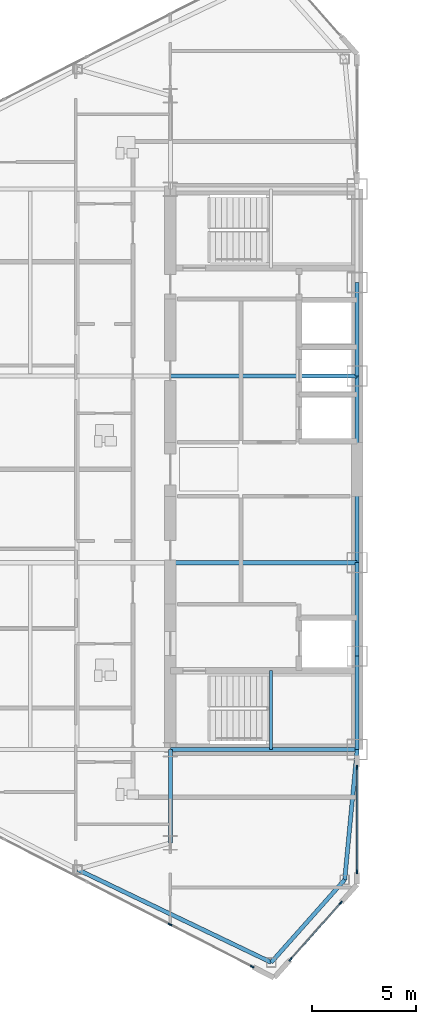
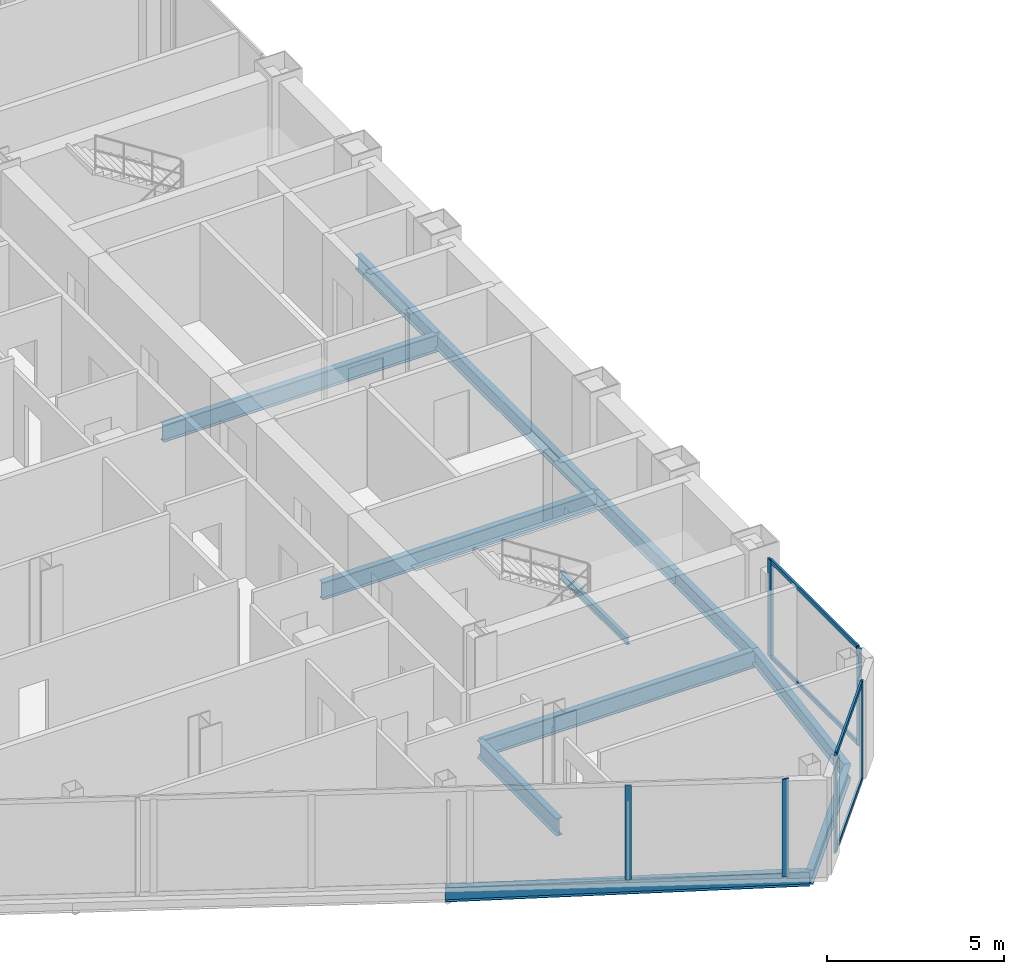
# One storey, part 5 of 23: 12 beams, 10 members, 3 elements without a shape of their own.
"""IFC4 building model written with IfcOpenShell, lengths in metres."""

from ifc_helpers import new_model, si_unit, direction, frame, origin, origin_2d, place, context, subcontext, project, spatial, rectangle, i_section, extrude, source, transform, mapped, material, layer, layer_set, material_profile, profile_set, type_object, type_shapes, element, aggregate, save


model = new_model("IFC4")

# Units and contexts
model_context = context("Model", 3, precision=1e-05, world=origin(), true_north=direction((0.0, 1.0)))
body_context = subcontext(model_context, "Body", "Model", "MODEL_VIEW")
ifc_project = project(units=[si_unit("LENGTHUNIT", "METRE"), si_unit("AREAUNIT", "SQUARE_METRE"), si_unit("VOLUMEUNIT", "CUBIC_METRE"), si_unit("PLANEANGLEUNIT", "RADIAN"), si_unit("MASSUNIT", "GRAM", prefix="KILO")], contexts=[model_context])

# Site, building, storey
site_placement = place(None, origin())
site = spatial("IfcSite", under=ifc_project, at=site_placement, CompositionType="ELEMENT")
building_placement = place(site_placement, origin())
building = spatial("IfcBuilding", under=site, at=building_placement, Name="Seokmaru Belvedere", CompositionType="ELEMENT")
storey_placement = place(building_placement, frame((0.0, 0.0, 144.0)))
storey = spatial("IfcBuildingStorey", under=building, at=storey_placement, Name="L38", CompositionType="ELEMENT", Elevation=144.0)

# Beams
ifc_material_1 = material(Name="Steel SM355 (355 MPa)", Category="steel")
ifc_material_profile_1 = material_profile(ifc_material_1, i_section(OverallWidth=0.199951171875, OverallDepth=0.5, WebThickness=0.010009765625, FlangeThickness=0.01611328125, at=origin_2d()), Name="H-500x200x10x16")
ifc_profile_set_1 = profile_set([ifc_material_profile_1], Name="Steel SM355 (355 MPa)")
beam_type_1 = type_object("IfcBeamType", Name="Perimeter Spandrel Beam H-500", PredefinedType="SPANDREL", material=ifc_profile_set_1)
shared_shape_1 = source(origin(), body_context, "Body", "SweptSolid", [
    extrude(i_section(OverallWidth=0.199951171875, OverallDepth=0.5, WebThickness=0.010009765625, FlangeThickness=0.01611328125, at=origin_2d()), origin(), (0.0, 0.0, 1.0), 4.5),
])
for number, where, z_axis, x_axis, name in (
    (1, (-27.5, -13.5, -0.469970703125), (0.0, 1.0, 0.0), (-1.0, 0.0, 0.0), "L38 W Portal Spine Spandrel 1"),
    (2, (-27.5, -9.0, -0.469970703125), (0.0, 1.0, 0.0), (-1.0, 0.0, 0.0), "L38 W Portal Spine Spandrel 2"),
    (3, (-27.5, 4.5, -0.469970703125), (0.0, 1.0, 0.0), (-1.0, 0.0, 0.0), "L38 W Portal Spine Spandrel 4"),
):
    element("IfcBeam", number, at=place(storey_placement, frame(where, z_axis=z_axis, x_axis=x_axis)), inside=storey, type_object=beam_type_1, Name=name, PredefinedType="SPANDREL", context=body_context, shape_type="MappedRepresentation", body=[
        mapped(shared_shape_1, transform((0.0, 0.0, 0.0), scale=1.0)),
    ])
shared_shape_2 = source(origin(), body_context, "Body", "SweptSolid", [
    extrude(i_section(OverallWidth=0.199951171875, OverallDepth=0.5, WebThickness=0.010009765625, FlangeThickness=0.01611328125, at=origin_2d()), origin(), (0.0, 0.0, 1.0), 9.0),
])
beam_1_placement = place(storey_placement, frame((-27.5, -4.5, -0.469970703125), z_axis=(0.0, 1.0, 0.0), x_axis=(-1.0, 0.0, 0.0)))
element("IfcBeam", 4, at=beam_1_placement, inside=storey, type_object=beam_type_1, Name="L38 W Portal Spine Spandrel 3", PredefinedType="SPANDREL", context=body_context, shape_type="MappedRepresentation", body=[
    mapped(shared_shape_2, transform((0.0, 0.0, 0.0), scale=1.0)),
])
ifc_material_profile_2 = material_profile(ifc_material_1, i_section(OverallWidth=0.199951171875, OverallDepth=0.60009765625, WebThickness=0.010986328125, FlangeThickness=0.01708984375, at=origin_2d()), Name="H-600x200x11x17")
ifc_profile_set_2 = profile_set([ifc_material_profile_2], Name="Steel SM355 (355 MPa)")
beam_type_2 = type_object("IfcBeamType", Name="Primary Floor Girder H-600", PredefinedType="BEAM", material=ifc_profile_set_2)
shared_shape_3 = source(origin(), body_context, "Body", "SweptSolid", [
    extrude(i_section(OverallWidth=0.199951171875, OverallDepth=0.60009765625, WebThickness=0.010986328125, FlangeThickness=0.01708984375, at=origin_2d()), origin(), (0.0, 0.0, 1.0), 9.0),
])
for number, where, z_axis, x_axis, name in (
    (5, (-36.5, -13.5, -0.52001953125), (1.0, 0.0, 0.0), (0.0, 1.0, 0.0), "L38 W Core Tie Girder 1"),
    (6, (-36.5, -4.5, -0.52001953125), (1.0, 0.0, 0.0), (0.0, 1.0, 0.0), "L38 W Core Tie Girder 2"),
    (7, (-36.5, 4.5, -0.52001953125), (1.0, 0.0, 0.0), (0.0, 1.0, 0.0), "L38 W Core Tie Girder 3"),
):
    element("IfcBeam", number, at=place(storey_placement, frame(where, z_axis=z_axis, x_axis=x_axis)), inside=storey, type_object=beam_type_2, Name=name, PredefinedType="BEAM", context=body_context, shape_type="MappedRepresentation", body=[
        mapped(shared_shape_3, transform((0.0, 0.0, 0.0), scale=1.0)),
    ])
shared_shape_4 = source(origin(), body_context, "Body", "SweptSolid", [
    extrude(i_section(OverallWidth=0.199951171875, OverallDepth=0.60009765625, WebThickness=0.010986328125, FlangeThickness=0.01708984375, at=origin_2d()), origin(), (0.0, 0.0, 1.0), 4.5),
])
type_shapes(beam_type_2, [shared_shape_3, shared_shape_4])
beam_2_placement = place(storey_placement, frame((-36.5, -18.0, -0.52001953125), z_axis=(0.0, 1.0, 0.0), x_axis=(-1.0, 0.0, 0.0)))
element("IfcBeam", 8, at=beam_2_placement, inside=storey, type_object=beam_type_2, Name="L38 W Core Shoulder Girder S", PredefinedType="BEAM", context=body_context, shape_type="MappedRepresentation", body=[
    mapped(shared_shape_4, transform((0.0, 0.0, 0.0), scale=1.0)),
])
shared_shape_5 = source(origin(), body_context, "Body", "SweptSolid", [
    extrude(i_section(OverallWidth=0.199951171875, OverallDepth=0.5, WebThickness=0.010009765625, FlangeThickness=0.01611328125, at=origin_2d()), origin(), (0.0, 0.0, 1.0), 10.353759765625),
])
beam_3_placement = place(storey_placement, frame((-31.6396484375, -23.75390625, -0.469970703125), z_axis=(-0.901713202822, 0.432334708134, 0.0), x_axis=(-0.432334708134, -0.901713202822, 0.0)))
element("IfcBeam", 9, at=beam_3_placement, inside=storey, type_object=beam_type_1, Name="L38 W Faceted Flank Spandrel S-1", PredefinedType="SPANDREL", context=body_context, shape_type="MappedRepresentation", body=[
    mapped(shared_shape_5, transform((0.0, 0.0, 0.0), scale=1.0)),
])
shared_shape_6 = source(origin(), body_context, "Body", "SweptSolid", [
    extrude(i_section(OverallWidth=0.199951171875, OverallDepth=0.5, WebThickness=0.010009765625, FlangeThickness=0.01611328125, at=origin_2d()), origin(), (0.0, 0.0, 1.0), 5.32763671875),
])
beam_4_placement = place(storey_placement, frame((-31.6396484375, -23.75390625, -0.469970703125), z_axis=(0.66436952742, 0.74740426212, 0.0), x_axis=(-0.74740426212, 0.66436952742, 0.0)))
element("IfcBeam", 10, at=beam_4_placement, inside=storey, type_object=beam_type_1, Name="L38 W Shoulder Chamfer Spandrel S", PredefinedType="SPANDREL", context=body_context, shape_type="MappedRepresentation", body=[
    mapped(shared_shape_6, transform((0.0, 0.0, 0.0), scale=1.0)),
])
shared_shape_7 = source(origin(), body_context, "Body", "SweptSolid", [
    extrude(i_section(OverallWidth=0.199951171875, OverallDepth=0.5, WebThickness=0.010009765625, FlangeThickness=0.01611328125, at=origin_2d()), origin(), (0.0, 0.0, 1.0), 6.300537109375),
])
type_shapes(beam_type_1, [shared_shape_1, shared_shape_2, shared_shape_5, shared_shape_6, shared_shape_7])
beam_5_placement = place(storey_placement, frame((-28.10009765625, -19.77197265625, -0.469970703125), z_axis=(0.095244287992, 0.995453929424, 0.0), x_axis=(-0.995453929424, 0.095244287992, 0.0)))
element("IfcBeam", 11, at=beam_5_placement, inside=storey, type_object=beam_type_1, Name="L38 W Shoulder Spine Spandrel S", PredefinedType="SPANDREL", context=body_context, shape_type="MappedRepresentation", body=[
    mapped(shared_shape_7, transform((0.0, 0.0, 0.0), scale=1.0)),
])

# Curtain wall, members
ifc_material_2 = material(Name="Bronze Triple Insulating Glass", Category="glass")
ifc_layer = layer(ifc_material_2, 0.195068359375)
ifc_layer_set = layer_set([ifc_layer], Name="Bronze Triple Insulating Glass")
curtain_wall_type = type_object("IfcCurtainWallType", Name="Sky-Lobby and Mid-Rise Curtain Wall System CW-4", PredefinedType="NOTDEFINED", material=ifc_layer_set)
curtain_wall_1_placement = place(storey_placement, origin())
curtain_wall_1 = element("IfcCurtainWall", 12, at=curtain_wall_1_placement, inside=storey, type_object=curtain_wall_type, Name="L38 Curtain Wall WSP_1", PredefinedType="NOTDEFINED")
ifc_material_3 = material(Name="Anodised Bronze Aluminium", Category="aluminium")
ifc_material_profile_3 = material_profile(ifc_material_3, rectangle(XDim=0.070068359375, YDim=0.195068359375, at=origin_2d()), Name="CW-M-70x195")
ifc_profile_set_3 = profile_set([ifc_material_profile_3], Name="Anodised Bronze Aluminium")
member_type_1 = type_object("IfcMemberType", Name="Bronze Unitised Mullion 70x195", PredefinedType="MULLION", material=ifc_profile_set_3)
shared_shape_8 = source(origin(), body_context, "Body", "SweptSolid", [
    extrude(rectangle(XDim=0.070068359375, YDim=0.195068359375, at=origin_2d()), origin(), (0.0, 0.0, 1.0), 3.3798828125),
])
member_1_placement = place(storey_placement, frame((-27.5, -19.39501953125, 0.0), z_axis=(0.0, 0.0, 1.0), x_axis=(-1.0, 0.0, 0.0)))
member_1 = element("IfcMember", 13, at=member_1_placement, type_object=member_type_1, Name="CW:L38:WSP_1 Mullion 1", PredefinedType="MULLION", context=body_context, shape_type="MappedRepresentation", body=[
    mapped(shared_shape_8, transform((0.0, 0.0, 0.0), scale=1.0)),
])
member_2_placement = place(storey_placement, frame((-27.5, -14.364990234375, 0.0), z_axis=(0.0, 0.0, 1.0), x_axis=(-1.0, 0.0, 0.0)))
member_2 = element("IfcMember", 14, at=member_2_placement, type_object=member_type_1, Name="CW:L38:WSP_1 Mullion 2", PredefinedType="MULLION", context=body_context, shape_type="MappedRepresentation", body=[
    mapped(shared_shape_8, transform((0.0, 0.0, 0.0), scale=1.0)),
])

# Curtain wall, member
curtain_wall_2_placement = place(storey_placement, origin())
curtain_wall_2 = element("IfcCurtainWall", 15, at=curtain_wall_2_placement, inside=storey, type_object=curtain_wall_type, Name="L38 Curtain Wall WF5", PredefinedType="NOTDEFINED")
member_3_placement = place(storey_placement, frame((-32.55419921875, -23.958984375, 0.0), z_axis=(0.0, 0.0, 1.0), x_axis=(0.456554528263, 0.889695432562, 0.0)))
member_3 = element("IfcMember", 16, at=member_3_placement, type_object=member_type_1, Name="CW:L38:WF5 Mullion 10", PredefinedType="MULLION", context=body_context, shape_type="MappedRepresentation", body=[
    mapped(shared_shape_8, transform((0.0, 0.0, 0.0), scale=1.0)),
])

# Curtain wall, members
curtain_wall_3_placement = place(storey_placement, origin())
curtain_wall_3 = element("IfcCurtainWall", 17, at=curtain_wall_3_placement, inside=storey, type_object=curtain_wall_type, Name="L38 Curtain Wall WF6", PredefinedType="NOTDEFINED")
member_4_placement = place(storey_placement, frame((-30.712646484375, -23.6142578125, 0.0), z_axis=(0.0, 0.0, 1.0), x_axis=(-0.747409774804, 0.664363325694, 0.0)))
member_4 = element("IfcMember", 18, at=member_4_placement, type_object=member_type_1, Name="CW:L38:WF6 Mullion 1", PredefinedType="MULLION", context=body_context, shape_type="MappedRepresentation", body=[
    mapped(shared_shape_8, transform((0.0, 0.0, 0.0), scale=1.0)),
])
member_5_placement = place(storey_placement, frame((-28.287353515625, -20.8857421875, 0.0), z_axis=(0.0, 0.0, 1.0), x_axis=(-0.747409774804, 0.664363325694, 0.0)))
member_5 = element("IfcMember", 19, at=member_5_placement, type_object=member_type_1, Name="CW:L38:WF6 Mullion 2", PredefinedType="MULLION", context=body_context, shape_type="MappedRepresentation", body=[
    mapped(shared_shape_8, transform((0.0, 0.0, 0.0), scale=1.0)),
])
ifc_material_profile_4 = material_profile(ifc_material_3, rectangle(XDim=0.06494140625, YDim=0.14990234375, at=origin_2d()), Name="CW-T-65x150")
ifc_profile_set_4 = profile_set([ifc_material_profile_4], Name="Anodised Bronze Aluminium")
member_type_2 = type_object("IfcMemberType", Name="Bronze Unitised Transom 65x150", PredefinedType="USERDEFINED", material=ifc_profile_set_4)
shared_shape_9 = source(origin(), body_context, "Body", "SweptSolid", [
    extrude(rectangle(XDim=0.06494140625, YDim=0.14990234375, at=origin_2d()), origin(), (0.0, 0.0, 1.0), 3.580810546875),
])
member_6_placement = place(storey_placement, frame((-30.689453125, -23.588134765625, 0.032470703125), z_axis=(0.66436383883, 0.747409318684, 0.0), x_axis=(-0.747409318684, 0.66436383883, 0.0)))
member_6 = element("IfcMember", 20, at=member_6_placement, type_object=member_type_2, Name="CW:L38:WF6 Continuous Transom 1", ObjectType="TRANSOM", PredefinedType="USERDEFINED", context=body_context, shape_type="MappedRepresentation", body=[
    mapped(shared_shape_9, transform((0.0, 0.0, 0.0), scale=1.0)),
])
member_7_placement = place(storey_placement, frame((-30.689453125, -23.588134765625, 3.347412109375), z_axis=(0.66436383883, 0.747409318684, 0.0), x_axis=(-0.747409318684, 0.66436383883, 0.0)))
member_7 = element("IfcMember", 21, at=member_7_placement, type_object=member_type_2, Name="CW:L38:WF6 Continuous Transom 2", ObjectType="TRANSOM", PredefinedType="USERDEFINED", context=body_context, shape_type="MappedRepresentation", body=[
    mapped(shared_shape_9, transform((0.0, 0.0, 0.0), scale=1.0)),
])
aggregate(curtain_wall_3, [member_4, member_5, member_6, member_7])

# Member
shared_shape_10 = source(origin(), body_context, "Body", "SweptSolid", [
    extrude(rectangle(XDim=0.070068359375, YDim=0.195068359375, at=origin_2d()), origin(), (0.0, 0.0, 1.0), 3.25),
])
type_shapes(member_type_1, [shared_shape_8, shared_shape_10])
member_8_placement = place(storey_placement, frame((-36.51806640625, -21.925048828125, 0.06494140625), z_axis=(0.0, 0.0, 1.0), x_axis=(0.456554528263, 0.889695432562, 0.0)))
member_8 = element("IfcMember", 22, at=member_8_placement, type_object=member_type_1, Name="CW:L38:WF5 Mullion 9", PredefinedType="MULLION", context=body_context, shape_type="MappedRepresentation", body=[
    mapped(shared_shape_10, transform((0.0, 0.0, 0.0), scale=1.0)),
])

aggregate(curtain_wall_2, [member_8, member_3])

shared_shape_11 = source(origin(), body_context, "Body", "SweptSolid", [
    extrude(rectangle(XDim=0.06494140625, YDim=0.14990234375, at=origin_2d()), origin(), (0.0, 0.0, 1.0), 4.960205078125),
])
type_shapes(member_type_2, [shared_shape_9, shared_shape_11])
member_9_placement = place(storey_placement, frame((-27.5, -19.360107421875, 0.032470703125), z_axis=(0.0, 1.0, 0.0), x_axis=(-1.0, 0.0, 0.0)))
member_9 = element("IfcMember", 23, at=member_9_placement, type_object=member_type_2, Name="CW:L38:WSP_1 Continuous Transom 1", ObjectType="TRANSOM", PredefinedType="USERDEFINED", context=body_context, shape_type="MappedRepresentation", body=[
    mapped(shared_shape_11, transform((0.0, 0.0, 0.0), scale=1.0)),
])

member_10_placement = place(storey_placement, frame((-27.5, -19.360107421875, 3.347412109375), z_axis=(0.0, 1.0, 0.0), x_axis=(-1.0, 0.0, 0.0)))
member_10 = element("IfcMember", 24, at=member_10_placement, type_object=member_type_2, Name="CW:L38:WSP_1 Continuous Transom 2", ObjectType="TRANSOM", PredefinedType="USERDEFINED", context=body_context, shape_type="MappedRepresentation", body=[
    mapped(shared_shape_11, transform((0.0, 0.0, 0.0), scale=1.0)),
])

aggregate(curtain_wall_1, [member_1, member_2, member_9, member_10])

# Beam
ifc_material_profile_5 = material_profile(ifc_material_1, i_section(OverallWidth=0.125, OverallDepth=0.25, WebThickness=0.006103515625, FlangeThickness=0.009033203125, at=origin_2d()), Name="H-250x125x6x9")
ifc_profile_set_5 = profile_set([ifc_material_profile_5], Name="Steel SM355 (355 MPa)")
beam_type_3 = type_object("IfcBeamType", Name="Stair Mid-Landing Support Beam H-250", PredefinedType="JOIST", material=ifc_profile_set_5)
shared_shape_12 = source(origin(), body_context, "Body", "SweptSolid", [
    extrude(i_section(OverallWidth=0.125, OverallDepth=0.25, WebThickness=0.006103515625, FlangeThickness=0.009033203125, at=origin_2d()), origin(), (0.0, 0.0, 1.0), 3.800048828125),
])
type_shapes(beam_type_3, [shared_shape_12])
beam_6_placement = place(storey_placement, frame((-31.64990234375, -13.5, 1.47509765625), z_axis=(0.0, 1.0, 0.0), x_axis=(-1.0, 0.0, 0.0)))
element("IfcBeam", 25, at=beam_6_placement, inside=storey, type_object=beam_type_3, Name="L38 Stair ST-W1 Mid-Landing Support Beam 1", PredefinedType="JOIST", context=body_context, shape_type="MappedRepresentation", body=[
    mapped(shared_shape_12, transform((0.0, 0.0, 0.0), scale=1.0)),
])

save(model, "model.ifc")
